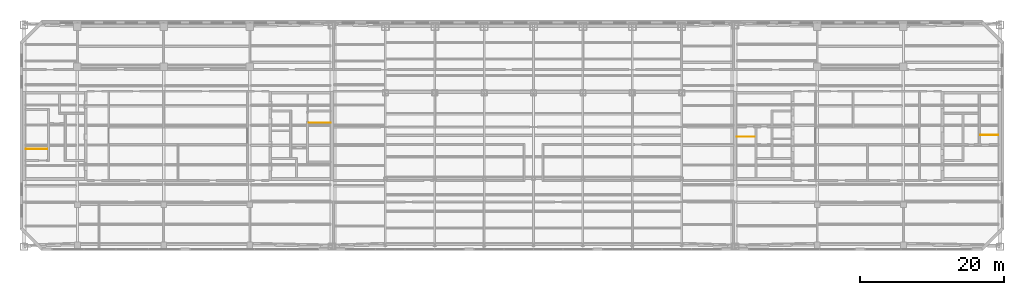
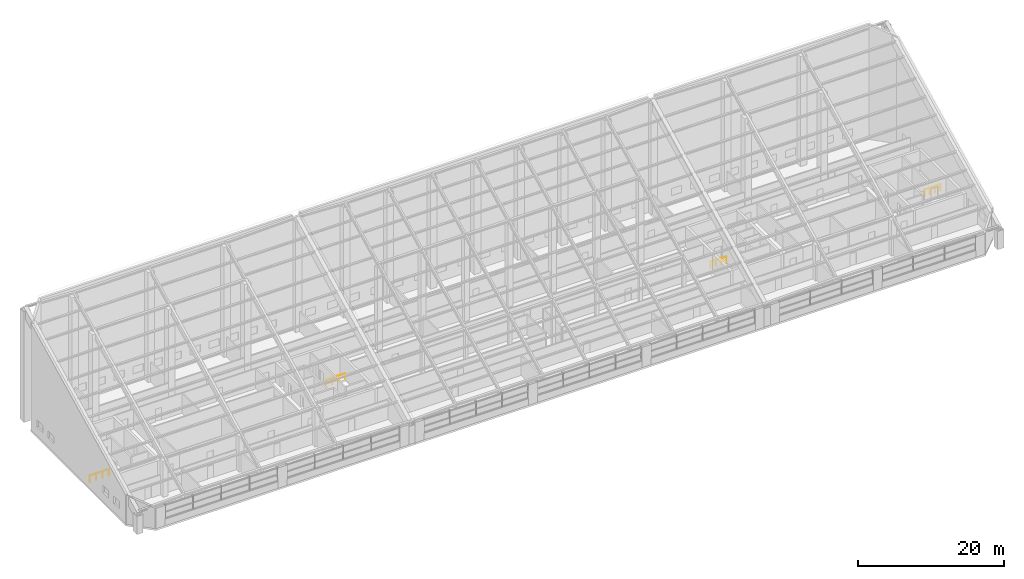
# One storey, part 28 of 28: 4 railings.
"""IFC4 building model written with IfcOpenShell, lengths in metres."""

from ifc_helpers import new_model, si_unit, direction, frame, origin, origin_2d, place, context, subcontext, project, spatial, circle, extrude, material, type_object, element, save


model = new_model("IFC4")

# Units and contexts
model_context = context("Model", 3, precision=1e-05, world=origin(), true_north=direction((0.0, 1.0)))
body_context = subcontext(model_context, "Body", "Model", "MODEL_VIEW")
ifc_project = project(units=[si_unit("LENGTHUNIT", "METRE"), si_unit("AREAUNIT", "SQUARE_METRE"), si_unit("VOLUMEUNIT", "CUBIC_METRE"), si_unit("PLANEANGLEUNIT", "RADIAN"), si_unit("MASSUNIT", "GRAM", prefix="KILO")], contexts=[model_context])

# Site, building, storey
site_placement = place(None, origin())
site = spatial("IfcSite", under=ifc_project, at=site_placement, CompositionType="ELEMENT")
building_placement = place(site_placement, origin())
building = spatial("IfcBuilding", under=site, at=building_placement, Name="Tuart Gate Housing", CompositionType="ELEMENT")
storey_placement = place(building_placement, frame((0.0, 0.0, 243.89990234375)))
storey = spatial("IfcBuildingStorey", under=building, at=storey_placement, Name="L68", CompositionType="ELEMENT", Elevation=243.89990234375)

# Railings
ifc_material = material(Name="Stainless steel", Category="steel")
railing_type = type_object("IfcRailingType", Name="Stair guard 1100", PredefinedType="GUARDRAIL", material=ifc_material)
railing_1_placement = place(storey_placement, frame((72.195068359375, 71.824951171875, 0.0)))
element("IfcRailing", 1, at=railing_1_placement, inside=storey, type_object=railing_type, Name="Stair guard SA1", PredefinedType="GUARDRAIL", context=body_context, shape_type="SweptSolid", body=[
    extrude(circle(Radius=0.02392578125, at=origin_2d()), frame((0.0, 0.0, 1.076171875), z_axis=(1.0, 0.0, 0.0), x_axis=(0.0, 1.0, 0.0)), (0.0, 0.0, 1.0), 3.014892578125),
    extrude(circle(Radius=0.02099609375, at=origin_2d()), origin(), (0.0, 0.0, 1.0), 1.052001953125),
    extrude(circle(Radius=0.02099609375, at=origin_2d()), frame((1.0048828125, 0.0, 0.0)), (0.0, 0.0, 1.0), 1.052001953125),
    extrude(circle(Radius=0.02099609375, at=origin_2d()), frame((2.010009765625, 0.0, 0.0)), (0.0, 0.0, 1.0), 1.052001953125),
    extrude(circle(Radius=0.02099609375, at=origin_2d()), frame((3.014892578125, 0.0, 0.0)), (0.0, 0.0, 1.0), 1.052001953125),
])
railing_2_placement = place(storey_placement, frame((35.804931640625, 68.175048828125, 0.0)))
element("IfcRailing", 2, at=railing_2_placement, inside=storey, type_object=railing_type, Name="Stair guard SA2", PredefinedType="GUARDRAIL", context=body_context, shape_type="SweptSolid", body=[
    extrude(circle(Radius=0.02392578125, at=origin_2d()), frame((0.0, 0.0, 1.076171875), z_axis=(-1.0, 0.0, 0.0), x_axis=(0.0, -1.0, 0.0)), (0.0, 0.0, 1.0), 3.014892578125),
    extrude(circle(Radius=0.02099609375, at=origin_2d()), origin(), (0.0, 0.0, 1.0), 1.052001953125),
    extrude(circle(Radius=0.02099609375, at=origin_2d()), frame((-1.0048828125, 0.0, 0.0)), (0.0, 0.0, 1.0), 1.052001953125),
    extrude(circle(Radius=0.02099609375, at=origin_2d()), frame((-2.010009765625, 0.0, 0.0)), (0.0, 0.0, 1.0), 1.052001953125),
    extrude(circle(Radius=0.02099609375, at=origin_2d()), frame((-3.014892578125, 0.0, 0.0)), (0.0, 0.0, 1.0), 1.052001953125),
])
railing_3_placement = place(storey_placement, frame((134.304931640625, 69.875, 0.0)))
element("IfcRailing", 3, at=railing_3_placement, inside=storey, type_object=railing_type, Name="Stair guard SB1", PredefinedType="GUARDRAIL", context=body_context, shape_type="SweptSolid", body=[
    extrude(circle(Radius=0.02392578125, at=origin_2d()), frame((0.0, 0.0, 1.076171875), z_axis=(-1.0, 0.0, 0.0), x_axis=(0.0, -1.0, 0.0)), (0.0, 0.0, 1.0), 2.514892578125),
    extrude(circle(Radius=0.02099609375, at=origin_2d()), origin(), (0.0, 0.0, 1.0), 1.052001953125),
    extrude(circle(Radius=0.02099609375, at=origin_2d()), frame((-0.83837890625, 0.0, 0.0)), (0.0, 0.0, 1.0), 1.052001953125),
    extrude(circle(Radius=0.02099609375, at=origin_2d()), frame((-1.676513671875, 0.0, 0.0)), (0.0, 0.0, 1.0), 1.052001953125),
    extrude(circle(Radius=0.02099609375, at=origin_2d()), frame((-2.514892578125, 0.0, 0.0)), (0.0, 0.0, 1.0), 1.052001953125),
])
railing_4_placement = place(storey_placement, frame((165.695068359375, 70.125, 0.0)))
element("IfcRailing", 4, at=railing_4_placement, inside=storey, type_object=railing_type, Name="Stair guard SB2", PredefinedType="GUARDRAIL", context=body_context, shape_type="SweptSolid", body=[
    extrude(circle(Radius=0.02392578125, at=origin_2d()), frame((0.0, 0.0, 1.076171875), z_axis=(1.0, 0.0, 0.0), x_axis=(0.0, 1.0, 0.0)), (0.0, 0.0, 1.0), 2.514892578125),
    extrude(circle(Radius=0.02099609375, at=origin_2d()), origin(), (0.0, 0.0, 1.0), 1.052001953125),
    extrude(circle(Radius=0.02099609375, at=origin_2d()), frame((0.83837890625, 0.0, 0.0)), (0.0, 0.0, 1.0), 1.052001953125),
    extrude(circle(Radius=0.02099609375, at=origin_2d()), frame((1.676513671875, 0.0, 0.0)), (0.0, 0.0, 1.0), 1.052001953125),
    extrude(circle(Radius=0.02099609375, at=origin_2d()), frame((2.514892578125, 0.0, 0.0)), (0.0, 0.0, 1.0), 1.052001953125),
])

save(model, "model.ifc")
